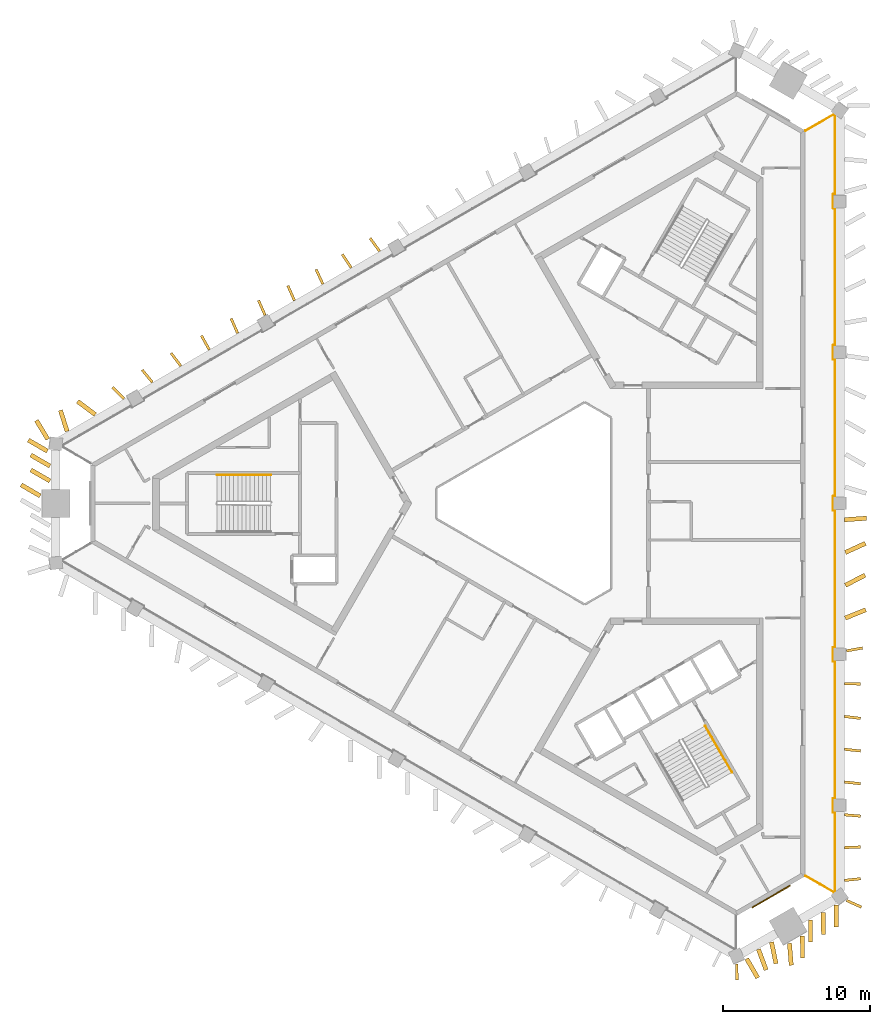
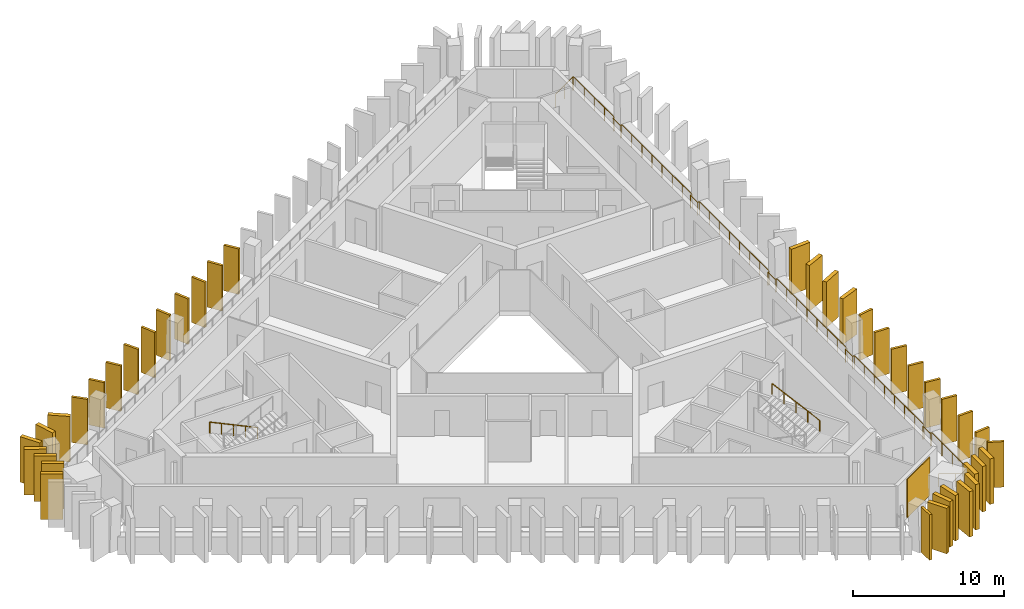
# One storey, part 8 of 9: 39 shading devices, 3 railings, 1 covering.
"""IFC4 building model written with IfcOpenShell, lengths in metres."""

from ifc_helpers import new_model, si_unit, direction, frame, frame_2d, origin, origin_2d, place, context, subcontext, project, spatial, rectangle, circle, extrude, material, layer, layer_set, type_object, element, save


model = new_model("IFC4")

# Units and contexts
model_context = context("Model", 3, precision=1e-05, world=origin(), true_north=direction((0.0, 1.0)))
body_context = subcontext(model_context, "Body", "Model", "MODEL_VIEW")
ifc_project = project(units=[si_unit("LENGTHUNIT", "METRE"), si_unit("AREAUNIT", "SQUARE_METRE"), si_unit("VOLUMEUNIT", "CUBIC_METRE"), si_unit("PLANEANGLEUNIT", "RADIAN"), si_unit("MASSUNIT", "GRAM", prefix="KILO")], contexts=[model_context])

# Site, building, storey
site_placement = place(None, origin())
site = spatial("IfcSite", under=ifc_project, at=site_placement, CompositionType="ELEMENT")
building_placement = place(site_placement, origin())
building = spatial("IfcBuilding", under=site, at=building_placement, Name="Jabali Bay Hotel Tower and Convention Centre", CompositionType="ELEMENT")
storey_placement = place(building_placement, frame((0.0, 0.0, 224.300048828125)))
storey = spatial("IfcBuildingStorey", under=building, at=storey_placement, Name="L55", CompositionType="ELEMENT", Elevation=224.300048828125)

# Railing
ifc_material_1 = material(Name="Glass", Category="glass")
railing_type_1 = type_object("IfcRailingType", Name="Loggia glass guard 1100", PredefinedType="BALUSTRADE", material=ifc_material_1)
railing_1_placement = place(storey_placement, frame((92.77734375, 105.33154296875, 0.0)))
element("IfcRailing", 1, at=railing_1_placement, inside=storey, type_object=railing_type_1, Name="Loggia glass guard L55", PredefinedType="BALUSTRADE", context=body_context, shape_type="SweptSolid", body=[
    extrude(circle(Radius=0.02490234375, at=origin_2d()), frame((0.0, 0.0, 1.0751953125), z_axis=(0.866055336752, 0.499948150995, 0.0), x_axis=(-0.495671025257, 0.858646113288, 0.13052619222)), (0.0, 0.0, 1.0), 2.247314453125),
    extrude(circle(Radius=0.02490234375, at=origin_2d()), frame((1.9462890625, 1.12353515625, 1.0751953125), z_axis=(0.8, -0.6, 0.0), x_axis=(0.594866916824, 0.793155889099, 0.13052619222)), (0.0, 0.0, 1.0), 0.067138671875),
    extrude(circle(Radius=0.02490234375, at=origin_2d()), frame((2.0, 1.083251953125, 1.0751953125), z_axis=(0.0, -1.0, 0.0), x_axis=(0.991444861374, 0.0, 0.13052619222)), (0.0, 0.0, 1.0), 5.404052734375),
    extrude(circle(Radius=0.02490234375, at=origin_2d()), frame((2.0, -4.32080078125, 1.0751953125), z_axis=(-1.0, 0.0, 0.0), x_axis=(0.0, -0.991444861374, 0.13052619222)), (0.0, 0.0, 1.0), 0.125),
    extrude(circle(Radius=0.02490234375, at=origin_2d()), frame((1.875, -4.32080078125, 1.0751953125), z_axis=(0.0, -1.0, 0.0), x_axis=(0.991444861374, 0.0, 0.13052619222)), (0.0, 0.0, 1.0), 0.949951171875),
    extrude(circle(Radius=0.02490234375, at=origin_2d()), frame((1.875, -5.270751953125, 1.0751953125), z_axis=(1.0, 0.0, 0.0), x_axis=(0.0, 0.991444861374, 0.13052619222)), (0.0, 0.0, 1.0), 0.125),
    extrude(circle(Radius=0.02490234375, at=origin_2d()), frame((2.0, -5.270751953125, 1.0751953125), z_axis=(0.0, -1.0, 0.0), x_axis=(0.991444861374, 0.0, 0.13052619222)), (0.0, 0.0, 1.0), 9.31787109375),
    extrude(circle(Radius=0.02490234375, at=origin_2d()), frame((2.0, -14.588623046875, 1.0751953125), z_axis=(-1.0, 0.0, 0.0), x_axis=(0.0, -0.991444861374, 0.13052619222)), (0.0, 0.0, 1.0), 0.125),
    extrude(circle(Radius=0.02490234375, at=origin_2d()), frame((1.875, -14.588623046875, 1.0751953125), z_axis=(0.0, -1.0, 0.0), x_axis=(0.991444861374, 0.0, 0.13052619222)), (0.0, 0.0, 1.0), 0.949951171875),
    extrude(circle(Radius=0.02490234375, at=origin_2d()), frame((1.875, -15.53857421875, 1.0751953125), z_axis=(1.0, 0.0, 0.0), x_axis=(0.0, 0.991444861374, 0.13052619222)), (0.0, 0.0, 1.0), 0.125),
    extrude(circle(Radius=0.02490234375, at=origin_2d()), frame((2.0, -15.53857421875, 1.0751953125), z_axis=(0.0, -1.0, 0.0), x_axis=(0.991444861374, 0.0, 0.13052619222)), (0.0, 0.0, 1.0), 9.31787109375),
    extrude(circle(Radius=0.02490234375, at=origin_2d()), frame((2.0, -24.8564453125, 1.0751953125), z_axis=(-1.0, 0.0, 0.0), x_axis=(0.0, -0.991444861374, 0.13052619222)), (0.0, 0.0, 1.0), 0.125),
    extrude(circle(Radius=0.02490234375, at=origin_2d()), frame((1.875, -24.8564453125, 1.0751953125), z_axis=(0.0, -1.0, 0.0), x_axis=(0.991444861374, 0.0, 0.13052619222)), (0.0, 0.0, 1.0), 0.9501953125),
    extrude(circle(Radius=0.02490234375, at=origin_2d()), frame((1.875, -25.806640625, 1.0751953125), z_axis=(1.0, 0.0, 0.0), x_axis=(0.0, 0.991444861374, 0.13052619222)), (0.0, 0.0, 1.0), 0.125),
    extrude(circle(Radius=0.02490234375, at=origin_2d()), frame((2.0, -25.806640625, 1.0751953125), z_axis=(0.0, -1.0, 0.0), x_axis=(0.991444861374, 0.0, 0.13052619222)), (0.0, 0.0, 1.0), 9.31787109375),
    extrude(circle(Radius=0.02490234375, at=origin_2d()), frame((2.0, -35.12451171875, 1.0751953125), z_axis=(-1.0, 0.0, 0.0), x_axis=(0.0, -0.991444861374, 0.13052619222)), (0.0, 0.0, 1.0), 0.125),
    extrude(circle(Radius=0.02490234375, at=origin_2d()), frame((1.875, -35.12451171875, 1.0751953125), z_axis=(0.0, -1.0, 0.0), x_axis=(0.991444861374, 0.0, 0.13052619222)), (0.0, 0.0, 1.0), 0.949951171875),
    extrude(circle(Radius=0.02490234375, at=origin_2d()), frame((1.875, -36.074462890625, 1.0751953125), z_axis=(1.0, 0.0, 0.0), x_axis=(0.0, 0.991444861374, 0.13052619222)), (0.0, 0.0, 1.0), 0.125),
    extrude(circle(Radius=0.02490234375, at=origin_2d()), frame((2.0, -36.074462890625, 1.0751953125), z_axis=(0.0, -1.0, 0.0), x_axis=(0.991444861374, 0.0, 0.13052619222)), (0.0, 0.0, 1.0), 9.31787109375),
    extrude(circle(Radius=0.02490234375, at=origin_2d()), frame((2.0, -45.392333984375, 1.0751953125), z_axis=(-1.0, 0.0, 0.0), x_axis=(0.0, -0.991444861374, 0.13052619222)), (0.0, 0.0, 1.0), 0.125),
    extrude(circle(Radius=0.02490234375, at=origin_2d()), frame((1.875, -45.392333984375, 1.0751953125), z_axis=(0.0, -1.0, 0.0), x_axis=(0.991444861374, 0.0, 0.13052619222)), (0.0, 0.0, 1.0), 0.949951171875),
    extrude(circle(Radius=0.02490234375, at=origin_2d()), frame((1.875, -46.34228515625, 1.0751953125), z_axis=(1.0, 0.0, 0.0), x_axis=(0.0, 0.991444861374, 0.13052619222)), (0.0, 0.0, 1.0), 0.125),
    extrude(circle(Radius=0.02490234375, at=origin_2d()), frame((2.0, -46.34228515625, 1.0751953125), z_axis=(0.0, -1.0, 0.0), x_axis=(0.991444861374, 0.0, 0.13052619222)), (0.0, 0.0, 1.0), 5.404052734375),
    extrude(circle(Radius=0.02490234375, at=origin_2d()), frame((2.0, -51.746337890625, 1.0751953125), z_axis=(-0.8, -0.6, 0.0), x_axis=(0.594866916824, -0.793155889099, 0.13052619222)), (0.0, 0.0, 1.0), 0.067138671875),
    extrude(circle(Radius=0.02490234375, at=origin_2d()), frame((1.9462890625, -51.78662109375, 1.0751953125), z_axis=(-0.866055336752, 0.499948150995, 0.0), x_axis=(-0.495671025257, -0.858646113288, 0.13052619222)), (0.0, 0.0, 1.0), 2.247314453125),
    extrude(circle(Radius=0.02001953125, at=origin_2d()), origin(), (0.0, 0.0, 1.0), 1.050048828125),
    extrude(circle(Radius=0.02001953125, at=origin_2d()), frame((0.97314453125, 0.561767578125, 0.0)), (0.0, 0.0, 1.0), 1.050048828125),
    extrude(circle(Radius=0.02001953125, at=origin_2d()), frame((1.9462890625, 1.12353515625, 0.0)), (0.0, 0.0, 1.0), 1.050048828125),
    extrude(circle(Radius=0.02001953125, at=origin_2d()), frame((2.0, 1.083251953125, 0.0)), (0.0, 0.0, 1.0), 1.050048828125),
    extrude(circle(Radius=0.02001953125, at=origin_2d()), frame((2.0, -0.267822265625, 0.0)), (0.0, 0.0, 1.0), 1.050048828125),
    extrude(circle(Radius=0.02001953125, at=origin_2d()), frame((2.0, -1.61865234375, 0.0)), (0.0, 0.0, 1.0), 1.050048828125),
    extrude(circle(Radius=0.02001953125, at=origin_2d()), frame((2.0, -2.9697265625, 0.0)), (0.0, 0.0, 1.0), 1.050048828125),
    extrude(circle(Radius=0.02001953125, at=origin_2d()), frame((2.0, -4.32080078125, 0.0)), (0.0, 0.0, 1.0), 1.050048828125),
    extrude(circle(Radius=0.02001953125, at=origin_2d()), frame((1.875, -4.32080078125, 0.0)), (0.0, 0.0, 1.0), 1.050048828125),
    extrude(circle(Radius=0.02001953125, at=origin_2d()), frame((1.875, -5.270751953125, 0.0)), (0.0, 0.0, 1.0), 1.050048828125),
    extrude(circle(Radius=0.02001953125, at=origin_2d()), frame((2.0, -5.270751953125, 0.0)), (0.0, 0.0, 1.0), 1.050048828125),
    extrude(circle(Radius=0.02001953125, at=origin_2d()), frame((2.0, -6.601806640625, 0.0)), (0.0, 0.0, 1.0), 1.050048828125),
    extrude(circle(Radius=0.02001953125, at=origin_2d()), frame((2.0, -7.93310546875, 0.0)), (0.0, 0.0, 1.0), 1.050048828125),
    extrude(circle(Radius=0.02001953125, at=origin_2d()), frame((2.0, -9.26416015625, 0.0)), (0.0, 0.0, 1.0), 1.050048828125),
    extrude(circle(Radius=0.02001953125, at=origin_2d()), frame((2.0, -10.59521484375, 0.0)), (0.0, 0.0, 1.0), 1.050048828125),
    extrude(circle(Radius=0.02001953125, at=origin_2d()), frame((2.0, -11.92626953125, 0.0)), (0.0, 0.0, 1.0), 1.050048828125),
    extrude(circle(Radius=0.02001953125, at=origin_2d()), frame((2.0, -13.257568359375, 0.0)), (0.0, 0.0, 1.0), 1.050048828125),
    extrude(circle(Radius=0.02001953125, at=origin_2d()), frame((2.0, -14.588623046875, 0.0)), (0.0, 0.0, 1.0), 1.050048828125),
    extrude(circle(Radius=0.02001953125, at=origin_2d()), frame((1.875, -14.588623046875, 0.0)), (0.0, 0.0, 1.0), 1.050048828125),
    extrude(circle(Radius=0.02001953125, at=origin_2d()), frame((1.875, -15.53857421875, 0.0)), (0.0, 0.0, 1.0), 1.050048828125),
    extrude(circle(Radius=0.02001953125, at=origin_2d()), frame((2.0, -15.53857421875, 0.0)), (0.0, 0.0, 1.0), 1.050048828125),
    extrude(circle(Radius=0.02001953125, at=origin_2d()), frame((2.0, -16.86962890625, 0.0)), (0.0, 0.0, 1.0), 1.050048828125),
    extrude(circle(Radius=0.02001953125, at=origin_2d()), frame((2.0, -18.200927734375, 0.0)), (0.0, 0.0, 1.0), 1.050048828125),
    extrude(circle(Radius=0.02001953125, at=origin_2d()), frame((2.0, -19.531982421875, 0.0)), (0.0, 0.0, 1.0), 1.050048828125),
    extrude(circle(Radius=0.02001953125, at=origin_2d()), frame((2.0, -20.863037109375, 0.0)), (0.0, 0.0, 1.0), 1.050048828125),
    extrude(circle(Radius=0.02001953125, at=origin_2d()), frame((2.0, -22.194091796875, 0.0)), (0.0, 0.0, 1.0), 1.050048828125),
    extrude(circle(Radius=0.02001953125, at=origin_2d()), frame((2.0, -23.525390625, 0.0)), (0.0, 0.0, 1.0), 1.050048828125),
    extrude(circle(Radius=0.02001953125, at=origin_2d()), frame((2.0, -24.8564453125, 0.0)), (0.0, 0.0, 1.0), 1.050048828125),
    extrude(circle(Radius=0.02001953125, at=origin_2d()), frame((1.875, -24.8564453125, 0.0)), (0.0, 0.0, 1.0), 1.050048828125),
    extrude(circle(Radius=0.02001953125, at=origin_2d()), frame((1.875, -25.806640625, 0.0)), (0.0, 0.0, 1.0), 1.050048828125),
    extrude(circle(Radius=0.02001953125, at=origin_2d()), frame((2.0, -25.806640625, 0.0)), (0.0, 0.0, 1.0), 1.050048828125),
    extrude(circle(Radius=0.02001953125, at=origin_2d()), frame((2.0, -27.1376953125, 0.0)), (0.0, 0.0, 1.0), 1.050048828125),
    extrude(circle(Radius=0.02001953125, at=origin_2d()), frame((2.0, -28.468994140625, 0.0)), (0.0, 0.0, 1.0), 1.050048828125),
    extrude(circle(Radius=0.02001953125, at=origin_2d()), frame((2.0, -29.800048828125, 0.0)), (0.0, 0.0, 1.0), 1.050048828125),
    extrude(circle(Radius=0.02001953125, at=origin_2d()), frame((2.0, -31.131103515625, 0.0)), (0.0, 0.0, 1.0), 1.050048828125),
    extrude(circle(Radius=0.02001953125, at=origin_2d()), frame((2.0, -32.462158203125, 0.0)), (0.0, 0.0, 1.0), 1.050048828125),
    extrude(circle(Radius=0.02001953125, at=origin_2d()), frame((2.0, -33.79345703125, 0.0)), (0.0, 0.0, 1.0), 1.050048828125),
    extrude(circle(Radius=0.02001953125, at=origin_2d()), frame((2.0, -35.12451171875, 0.0)), (0.0, 0.0, 1.0), 1.050048828125),
    extrude(circle(Radius=0.02001953125, at=origin_2d()), frame((1.875, -35.12451171875, 0.0)), (0.0, 0.0, 1.0), 1.050048828125),
    extrude(circle(Radius=0.02001953125, at=origin_2d()), frame((1.875, -36.074462890625, 0.0)), (0.0, 0.0, 1.0), 1.050048828125),
    extrude(circle(Radius=0.02001953125, at=origin_2d()), frame((2.0, -36.074462890625, 0.0)), (0.0, 0.0, 1.0), 1.050048828125),
    extrude(circle(Radius=0.02001953125, at=origin_2d()), frame((2.0, -37.405517578125, 0.0)), (0.0, 0.0, 1.0), 1.050048828125),
    extrude(circle(Radius=0.02001953125, at=origin_2d()), frame((2.0, -38.73681640625, 0.0)), (0.0, 0.0, 1.0), 1.050048828125),
    extrude(circle(Radius=0.02001953125, at=origin_2d()), frame((2.0, -40.06787109375, 0.0)), (0.0, 0.0, 1.0), 1.050048828125),
    extrude(circle(Radius=0.02001953125, at=origin_2d()), frame((2.0, -41.39892578125, 0.0)), (0.0, 0.0, 1.0), 1.050048828125),
    extrude(circle(Radius=0.02001953125, at=origin_2d()), frame((2.0, -42.72998046875, 0.0)), (0.0, 0.0, 1.0), 1.050048828125),
    extrude(circle(Radius=0.02001953125, at=origin_2d()), frame((2.0, -44.061279296875, 0.0)), (0.0, 0.0, 1.0), 1.050048828125),
    extrude(circle(Radius=0.02001953125, at=origin_2d()), frame((2.0, -45.392333984375, 0.0)), (0.0, 0.0, 1.0), 1.050048828125),
    extrude(circle(Radius=0.02001953125, at=origin_2d()), frame((1.875, -45.392333984375, 0.0)), (0.0, 0.0, 1.0), 1.050048828125),
    extrude(circle(Radius=0.02001953125, at=origin_2d()), frame((1.875, -46.34228515625, 0.0)), (0.0, 0.0, 1.0), 1.050048828125),
    extrude(circle(Radius=0.02001953125, at=origin_2d()), frame((2.0, -46.34228515625, 0.0)), (0.0, 0.0, 1.0), 1.050048828125),
    extrude(circle(Radius=0.02001953125, at=origin_2d()), frame((2.0, -47.693359375, 0.0)), (0.0, 0.0, 1.0), 1.050048828125),
    extrude(circle(Radius=0.02001953125, at=origin_2d()), frame((2.0, -49.04443359375, 0.0)), (0.0, 0.0, 1.0), 1.050048828125),
    extrude(circle(Radius=0.02001953125, at=origin_2d()), frame((2.0, -50.395263671875, 0.0)), (0.0, 0.0, 1.0), 1.050048828125),
    extrude(circle(Radius=0.02001953125, at=origin_2d()), frame((2.0, -51.746337890625, 0.0)), (0.0, 0.0, 1.0), 1.050048828125),
    extrude(circle(Radius=0.02001953125, at=origin_2d()), frame((1.9462890625, -51.78662109375, 0.0)), (0.0, 0.0, 1.0), 1.050048828125),
    extrude(circle(Radius=0.02001953125, at=origin_2d()), frame((0.97314453125, -51.224853515625, 0.0)), (0.0, 0.0, 1.0), 1.050048828125),
    extrude(circle(Radius=0.02001953125, at=origin_2d()), frame((0.0, -50.6630859375, 0.0)), (0.0, 0.0, 1.0), 1.050048828125),
])

# Shading devices
ifc_material_2 = material(Name="Precast concrete C60", Category="concrete")
ifc_layer_1 = layer(ifc_material_2, 0.179931640625)
ifc_layer_set_1 = layer_set([ifc_layer_1], Name="Precast concrete C60")
shading_device_type_1 = type_object("IfcShadingDeviceType", Name="Precast fin 3680 x 1100", PredefinedType="USERDEFINED", material=ifc_layer_set_1)
for number, where, z_axis, x_axis, name in (
    (2, (95.42919921875, 54.368408203125, 0.010009765625), (0.0, 0.0, 1.0), (0.994498153958, 0.104754101466, 0.0), "Fin L55 000"),
    (3, (95.423095703125, 56.597412109375, 0.010009765625), (0.0, 0.0, 1.0), (0.999254275178, 0.03861209058, 0.0), "Fin L55 001"),
    (4, (95.427001953125, 58.826171875, 0.010009765625), (0.0, 0.0, 1.0), (0.996605187436, -0.082329219448, 0.0), "Fin L55 002"),
    (5, (95.42919921875, 61.054931640625, 0.010009765625), (0.0, 0.0, 1.0), (0.99430915392, -0.106533123634, 0.0), "Fin L55 003"),
):
    element("IfcShadingDevice", number, at=place(storey_placement, frame(where, z_axis=z_axis, x_axis=x_axis)), inside=storey, type_object=shading_device_type_1, Name=name, ObjectType="FIN", PredefinedType="USERDEFINED", context=body_context, shape_type="SweptSolid", body=[
        extrude(rectangle(XDim=1.10009765625, YDim=0.179931640625, at=frame_2d((0.550048828125, 0.0))), origin(), (0.0, 0.0, 1.0), 3.679931640625),
    ])
shading_device_1_placement = place(storey_placement, frame((95.4296875, 63.28369140625, 0.010009765625), z_axis=(0.0, 0.0, 1.0), x_axis=(0.993970050348, -0.109651899257, 0.0)))
element("IfcShadingDevice", 6, at=shading_device_1_placement, inside=storey, type_object=shading_device_type_1, Name="Fin L55 004", ObjectType="FIN", PredefinedType="USERDEFINED", context=body_context, shape_type="SweptSolid", body=[
    extrude(rectangle(XDim=1.099853515625, YDim=0.179931640625, at=frame_2d((0.5498046875, 0.0))), origin(), (0.0, 0.0, 1.0), 3.679931640625),
])
for number, where, z_axis, x_axis, name in (
    (7, (95.430419921875, 65.5126953125, 0.010009765625), (0.0, 0.0, 1.0), (0.99276508195, -0.120072861465, 0.0), "Fin L55 005"),
    (8, (95.421630859375, 67.741455078125, 0.010009765625), (0.0, 0.0, 1.0), (0.999758624304, -0.021970278314, 0.0), "Fin L55 006"),
    (9, (95.568359375, 69.97021484375, 0.010009765625), (0.0, 0.0, 1.0), (0.983666865037, 0.179998607298, 0.0), "Fin L55 007"),
):
    element("IfcShadingDevice", number, at=place(storey_placement, frame(where, z_axis=z_axis, x_axis=x_axis)), inside=storey, type_object=shading_device_type_1, Name=name, ObjectType="FIN", PredefinedType="USERDEFINED", context=body_context, shape_type="SweptSolid", body=[
        extrude(rectangle(XDim=1.10009765625, YDim=0.179931640625, at=frame_2d((0.550048828125, 0.0))), origin(), (0.0, 0.0, 1.0), 3.679931640625),
    ])
for number, where, z_axis, x_axis, name in (
    (10, (63.8203125, 97.135009765625, 0.010009765625), (0.0, 0.0, 1.0), (-0.588000107167, 0.808860849573, 0.0), "Fin L55 044"),
    (11, (61.891845703125, 96.017578125, 0.010009765625), (0.0, 0.0, 1.0), (-0.556235907854, 0.831024436953, 0.0), "Fin L55 045"),
):
    element("IfcShadingDevice", number, at=place(storey_placement, frame(where, z_axis=z_axis, x_axis=x_axis)), inside=storey, type_object=shading_device_type_1, Name=name, ObjectType="FIN", PredefinedType="USERDEFINED", context=body_context, shape_type="SweptSolid", body=[
        extrude(rectangle(XDim=1.099853515625, YDim=0.179931640625, at=frame_2d((0.5498046875, 0.0))), origin(), (0.0, 0.0, 1.0), 3.679931640625),
    ])
shading_device_2_placement = place(storey_placement, frame((59.960205078125, 94.9052734375, 0.010009765625), z_axis=(0.0, 0.0, 1.0), x_axis=(-0.41542408803, 0.909627850873, 0.0)))
element("IfcShadingDevice", 12, at=shading_device_2_placement, inside=storey, type_object=shading_device_type_1, Name="Fin L55 046", ObjectType="FIN", PredefinedType="USERDEFINED", context=body_context, shape_type="SweptSolid", body=[
    extrude(rectangle(XDim=1.10009765625, YDim=0.179931640625, at=frame_2d((0.550048828125, 0.0))), origin(), (0.0, 0.0, 1.0), 3.679931640625),
])
shading_device_3_placement = place(storey_placement, frame((58.029541015625, 93.791748046875, 0.010009765625), z_axis=(0.0, 0.0, 1.0), x_axis=(-0.40617965337, 0.913793242035, 0.0)))
element("IfcShadingDevice", 13, at=shading_device_3_placement, inside=storey, type_object=shading_device_type_1, Name="Fin L55 047", ObjectType="FIN", PredefinedType="USERDEFINED", context=body_context, shape_type="SweptSolid", body=[
    extrude(rectangle(XDim=1.099853515625, YDim=0.179931640625, at=frame_2d((0.5498046875, 0.0))), origin(), (0.0, 0.0, 1.0), 3.679931640625),
])
for number, where, z_axis, x_axis, name in (
    (14, (56.033203125, 92.7919921875, 0.010009765625), (0.0, 0.0, 1.0), (-0.405911946598, 0.913912190317, 0.0), "Fin L55 048"),
    (15, (54.169189453125, 91.56298828125, 0.010009765625), (0.0, 0.0, 1.0), (-0.404552415447, 0.914514812978, 0.0), "Fin L55 049"),
):
    element("IfcShadingDevice", number, at=place(storey_placement, frame(where, z_axis=z_axis, x_axis=x_axis)), inside=storey, type_object=shading_device_type_1, Name=name, ObjectType="FIN", PredefinedType="USERDEFINED", context=body_context, shape_type="SweptSolid", body=[
        extrude(rectangle(XDim=1.10009765625, YDim=0.179931640625, at=frame_2d((0.550048828125, 0.0))), origin(), (0.0, 0.0, 1.0), 3.679931640625),
    ])
for number, where, z_axis, x_axis, name in (
    (16, (52.242919921875, 90.44140625, 0.010009765625), (0.0, 0.0, 1.0), (-0.486980404602, 0.873412895218, 0.0), "Fin L55 050"),
    (17, (50.307861328125, 89.33544921875, 0.010009765625), (0.0, 0.0, 1.0), (-0.60304971832, 0.79770360237, 0.0), "Fin L55 051"),
    (18, (48.3759765625, 88.22412109375, 0.010009765625), (0.0, 0.0, 1.0), (-0.634337018774, 0.773056625748, 0.0), "Fin L55 052"),
):
    element("IfcShadingDevice", number, at=place(storey_placement, frame(where, z_axis=z_axis, x_axis=x_axis)), inside=storey, type_object=shading_device_type_1, Name=name, ObjectType="FIN", PredefinedType="USERDEFINED", context=body_context, shape_type="SweptSolid", body=[
        extrude(rectangle(XDim=1.099853515625, YDim=0.179931640625, at=frame_2d((0.5498046875, 0.0))), origin(), (0.0, 0.0, 1.0), 3.679931640625),
    ])
shading_device_4_placement = place(storey_placement, frame((46.441162109375, 87.117431640625, 0.010009765625), z_axis=(0.0, 0.0, 1.0), x_axis=(-0.709765049091, 0.704438482118, 0.0)))
element("IfcShadingDevice", 19, at=shading_device_4_placement, inside=storey, type_object=shading_device_type_1, Name="Fin L55 053", ObjectType="FIN", PredefinedType="USERDEFINED", context=body_context, shape_type="SweptSolid", body=[
    extrude(rectangle(XDim=1.10009765625, YDim=0.179931640625, at=frame_2d((0.550048828125, 0.0))), origin(), (0.0, 0.0, 1.0), 3.679931640625),
])
shading_device_5_placement = place(storey_placement, frame((95.568115234375, 52.99951171875, 0.010009765625), z_axis=(0.0, 0.0, 1.0), x_axis=(0.913591742145, -0.406632670459, 0.0)))
element("IfcShadingDevice", 20, at=shading_device_5_placement, inside=storey, type_object=shading_device_type_1, Name="Fin L55 096", ObjectType="FIN", PredefinedType="USERDEFINED", context=body_context, shape_type="SweptSolid", body=[
    extrude(rectangle(XDim=1.099853515625, YDim=0.179931640625, at=frame_2d((0.5498046875, 0.0))), origin(), (0.0, 0.0, 1.0), 3.679931640625),
])
shading_device_6_placement = place(storey_placement, frame((88.09912109375, 48.6982421875, 0.010009765625), z_axis=(0.0, 0.0, 1.0), x_axis=(0.018420847216, -0.999830321799, 0.0)))
element("IfcShadingDevice", 21, at=shading_device_6_placement, inside=storey, type_object=shading_device_type_1, Name="Fin L55 101", ObjectType="FIN", PredefinedType="USERDEFINED", context=body_context, shape_type="SweptSolid", body=[
    extrude(rectangle(XDim=1.10009765625, YDim=0.179931640625, at=frame_2d((0.550048828125, 0.0))), origin(), (0.0, 0.0, 1.0), 3.679931640625),
])
ifc_layer_2 = layer(ifc_material_2, 0.300048828125)
ifc_layer_set_2 = layer_set([ifc_layer_2], Name="Precast concrete C60")
shading_device_type_2 = type_object("IfcShadingDeviceType", Name="Precast fin 3680 x 1500", PredefinedType="USERDEFINED", material=ifc_layer_set_2)
shading_device_7_placement = place(storey_placement, frame((95.475830078125, 72.19921875, 0.010009765625), z_axis=(0.0, 0.0, 1.0), x_axis=(0.927225534673, 0.374503415005, 0.0)))
element("IfcShadingDevice", 22, at=shading_device_7_placement, inside=storey, type_object=shading_device_type_2, Name="Fin L55 008", ObjectType="FIN", PredefinedType="USERDEFINED", context=body_context, shape_type="SweptSolid", body=[
    extrude(rectangle(XDim=1.5, YDim=0.300048828125, at=frame_2d((0.75, 0.0))), origin(), (0.0, 0.0, 1.0), 3.679931640625),
])
shading_device_8_placement = place(storey_placement, frame((95.48876953125, 74.427978515625, 0.010009765625), z_axis=(0.0, 0.0, 1.0), x_axis=(0.887286070615, 0.461219501857, 0.0)))
element("IfcShadingDevice", 23, at=shading_device_8_placement, inside=storey, type_object=shading_device_type_2, Name="Fin L55 009", ObjectType="FIN", PredefinedType="USERDEFINED", context=body_context, shape_type="SweptSolid", body=[
    extrude(rectangle(XDim=1.500244140625, YDim=0.300048828125, at=frame_2d((0.75, 0.0))), origin(), (0.0, 0.0, 1.0), 3.679931640625),
])
for number, where, z_axis, x_axis, name in (
    (24, (95.482177734375, 76.65673828125, 0.010009765625), (0.0, 0.0, 1.0), (0.90914186431, 0.416486579085, 0.0), "Fin L55 010"),
    (25, (95.429931640625, 78.885498046875, 0.010009765625), (0.0, 0.0, 1.0), (0.997649933168, 0.06851723032, 0.0), "Fin L55 011"),
    (26, (44.4931640625, 86.033935546875, 0.010009765625), (0.0, 0.0, 1.0), (-0.801890472373, 0.597471062326, 0.0), "Fin L55 054"),
    (27, (42.576416015625, 84.896240234375, 0.010009765625), (0.0, 0.0, 1.0), (-0.301933618767, 0.953328951547, 0.0), "Fin L55 055"),
    (28, (41.23779296875, 83.550537109375, 0.010009765625), (0.0, 0.0, 1.0), (-0.867159382876, 0.498030726652, 0.0), "Fin L55 056"),
):
    element("IfcShadingDevice", number, at=place(storey_placement, frame(where, z_axis=z_axis, x_axis=x_axis)), inside=storey, type_object=shading_device_type_2, Name=name, ObjectType="FIN", PredefinedType="USERDEFINED", context=body_context, shape_type="SweptSolid", body=[
        extrude(rectangle(XDim=1.5, YDim=0.300048828125, at=frame_2d((0.75, 0.0))), origin(), (0.0, 0.0, 1.0), 3.679931640625),
    ])
for number, where, z_axis, x_axis, name in (
    (29, (41.412109375, 82.5361328125, 0.010009765625), (0.0, 0.0, 1.0), (-0.867119005422, 0.498101024327, 0.0), "Fin L55 057"),
    (30, (41.412109375, 81.521728515625, 0.010009765625), (0.0, 0.0, 1.0), (-0.867119005422, 0.498101024327, 0.0), "Fin L55 058"),
    (31, (40.74951171875, 80.50732421875, 0.010009765625), (0.0, 0.0, 1.0), (-0.867119005422, 0.498101024327, 0.0), "Fin L55 059"),
):
    element("IfcShadingDevice", number, at=place(storey_placement, frame(where, z_axis=z_axis, x_axis=x_axis)), inside=storey, type_object=shading_device_type_2, Name=name, ObjectType="FIN", PredefinedType="USERDEFINED", context=body_context, shape_type="SweptSolid", body=[
        extrude(rectangle(XDim=1.499755859375, YDim=0.300048828125, at=frame_2d((0.75, 0.0))), origin(), (0.0, 0.0, 1.0), 3.679931640625),
    ])
shading_device_9_placement = place(storey_placement, frame((88.774658203125, 49.04052734375, 0.010009765625), z_axis=(0.0, 0.0, 1.0), x_axis=(0.502068771384, -0.864827698909, 0.0)))
element("IfcShadingDevice", 32, at=shading_device_9_placement, inside=storey, type_object=shading_device_type_2, Name="Fin L55 088", ObjectType="FIN", PredefinedType="USERDEFINED", context=body_context, shape_type="SweptSolid", body=[
    extrude(rectangle(XDim=1.500244140625, YDim=0.300048828125, at=frame_2d((0.75, 0.0))), origin(), (0.0, 0.0, 1.0), 3.679931640625),
])
for number, where, z_axis, x_axis, name in (
    (33, (89.57275390625, 49.68701171875, 0.010009765625), (0.0, 0.0, 1.0), (0.348660559601, -0.937249067313, 0.0), "Fin L55 089"),
    (34, (90.462158203125, 50.17529296875, 0.010009765625), (0.0, 0.0, 1.0), (0.203622748222, -0.979049424905, 0.0), "Fin L55 090"),
):
    element("IfcShadingDevice", number, at=place(storey_placement, frame(where, z_axis=z_axis, x_axis=x_axis)), inside=storey, type_object=shading_device_type_2, Name=name, ObjectType="FIN", PredefinedType="USERDEFINED", context=body_context, shape_type="SweptSolid", body=[
        extrude(rectangle(XDim=1.5, YDim=0.300048828125, at=frame_2d((0.75, 0.0))), origin(), (0.0, 0.0, 1.0), 3.679931640625),
    ])
shading_device_10_placement = place(storey_placement, frame((91.6806640625, 50.093994140625, 0.010009765625), z_axis=(0.0, 0.0, 1.0), x_axis=(0.082183490162, -0.996617215356, 0.0)))
element("IfcShadingDevice", 35, at=shading_device_10_placement, inside=storey, type_object=shading_device_type_2, Name="Fin L55 091", ObjectType="FIN", PredefinedType="USERDEFINED", context=body_context, shape_type="SweptSolid", body=[
    extrude(rectangle(XDim=1.500244140625, YDim=0.300048828125, at=frame_2d((0.75, 0.0))), origin(), (0.0, 0.0, 1.0), 3.679931640625),
])
for number, where, z_axis, x_axis, name in (
    (36, (92.564453125, 50.591796875, 0.010009765625), (0.0, 0.0, 1.0), (0.002278639918, -0.999997403897, 0.0), "Fin L55 092"),
    (37, (93.111572265625, 51.6728515625, 0.010009765625), (0.0, 0.0, 1.0), (0.002278639918, -0.999997403897, 0.0), "Fin L55 093"),
    (38, (93.990234375, 52.18017578125, 0.010009765625), (0.0, 0.0, 1.0), (0.002278639918, -0.999997403897, 0.0), "Fin L55 094"),
    (39, (94.86865234375, 52.6875, 0.010009765625), (0.0, 0.0, 1.0), (0.002278639918, -0.999997403897, 0.0), "Fin L55 095"),
    (40, (41.2626953125, 84.352783203125, 0.010009765625), (0.0, 0.0, 1.0), (-0.515644233508, 0.856802792041, 0.0), "Fin L55 099"),
):
    element("IfcShadingDevice", number, at=place(storey_placement, frame(where, z_axis=z_axis, x_axis=x_axis)), inside=storey, type_object=shading_device_type_2, Name=name, ObjectType="FIN", PredefinedType="USERDEFINED", context=body_context, shape_type="SweptSolid", body=[
        extrude(rectangle(XDim=1.5, YDim=0.300048828125, at=frame_2d((0.75, 0.0))), origin(), (0.0, 0.0, 1.0), 3.679931640625),
    ])

# Covering
ifc_material_3 = material(Name="Precast concrete C40/50", Category="concrete")
ifc_layer_3 = layer(ifc_material_3, 0.080078125)
ifc_layer_set_3 = layer_set([ifc_layer_3], Name="Precast concrete C40/50")
covering_type = type_object("IfcCoveringType", Name="Relief panel 3000 x 3100", PredefinedType="CLADDING", material=ifc_layer_set_3)
covering_placement = place(storey_placement, frame((90.43310546875, 53.26904296875, 0.099853515625), z_axis=(0.0, 0.0, 1.0), x_axis=(-0.866025373075, -0.50000005319, 0.0)))
element("IfcCovering", 41, at=covering_placement, inside=storey, type_object=covering_type, Name="Relief panel L55", PredefinedType="CLADDING", context=body_context, shape_type="SweptSolid", body=[
    extrude(rectangle(XDim=3.0, YDim=0.080078125, at=origin_2d()), origin(), (0.0, 0.0, 1.0), 3.10009765625),
])

# Railings
ifc_material_4 = material(Name="Steel Q355B", Category="steel")
railing_type_2 = type_object("IfcRailingType", Name="Stair handrail 900", PredefinedType="HANDRAIL", material=ifc_material_4)
railing_2_placement = place(storey_placement, frame((56.419921875, 81.925048828125, 0.132080078125)))
element("IfcRailing", 42, at=railing_2_placement, inside=storey, type_object=railing_type_2, Name="L55 ST1 stair handrail 1", PredefinedType="HANDRAIL", context=body_context, shape_type="SweptSolid", body=[
    extrude(circle(Radius=0.02392578125, at=origin_2d()), frame((0.0, 0.0, 0.8759765625), z_axis=(-0.904350763662, 0.0, 0.426789990819), x_axis=(0.0, -1.0, 0.0)), (0.0, 0.0, 1.0), 4.02490234375),
    extrude(circle(Radius=0.02099609375, at=origin_2d()), origin(), (0.0, 0.0, 1.0), 0.851806640625),
    extrude(circle(Radius=0.02099609375, at=origin_2d()), frame((-0.909912109375, 0.0, 0.429443359375)), (0.0, 0.0, 1.0), 0.851806640625),
    extrude(circle(Radius=0.02099609375, at=origin_2d()), frame((-1.81982421875, 0.0, 0.85888671875)), (0.0, 0.0, 1.0), 0.851806640625),
    extrude(circle(Radius=0.02099609375, at=origin_2d()), frame((-2.72998046875, 0.0, 1.288330078125)), (0.0, 0.0, 1.0), 0.851806640625),
    extrude(circle(Radius=0.02099609375, at=origin_2d()), frame((-3.639892578125, 0.0, 1.7177734375)), (0.0, 0.0, 1.0), 0.851806640625),
])
railing_3_placement = place(storey_placement, frame((87.777099609375, 61.719482421875, 1.982177734375)))
element("IfcRailing", 43, at=railing_3_placement, inside=storey, type_object=railing_type_2, Name="L55 ST3 stair handrail 2", PredefinedType="HANDRAIL", context=body_context, shape_type="SweptSolid", body=[
    extrude(circle(Radius=0.02392578125, at=origin_2d()), frame((0.0, 0.0, 0.8759765625), z_axis=(-0.452190331055, 0.783190014029, 0.426775475427), x_axis=(-0.866018046521, -0.500012742938, 0.0)), (0.0, 0.0, 1.0), 4.02490234375),
    extrude(circle(Radius=0.02099609375, at=origin_2d()), origin(), (0.0, 0.0, 1.0), 0.851806640625),
    extrude(circle(Radius=0.02099609375, at=origin_2d()), frame((-0.455078125, 0.7880859375, 0.429443359375)), (0.0, 0.0, 1.0), 0.851806640625),
    extrude(circle(Radius=0.02099609375, at=origin_2d()), frame((-0.91015625, 1.576171875, 0.85888671875)), (0.0, 0.0, 1.0), 0.851806640625),
    extrude(circle(Radius=0.02099609375, at=origin_2d()), frame((-1.364990234375, 2.3642578125, 1.288330078125)), (0.0, 0.0, 1.0), 0.851806640625),
    extrude(circle(Radius=0.02099609375, at=origin_2d()), frame((-1.820068359375, 3.15234375, 1.7177734375)), (0.0, 0.0, 1.0), 0.851806640625),
])

save(model, "model.ifc")
